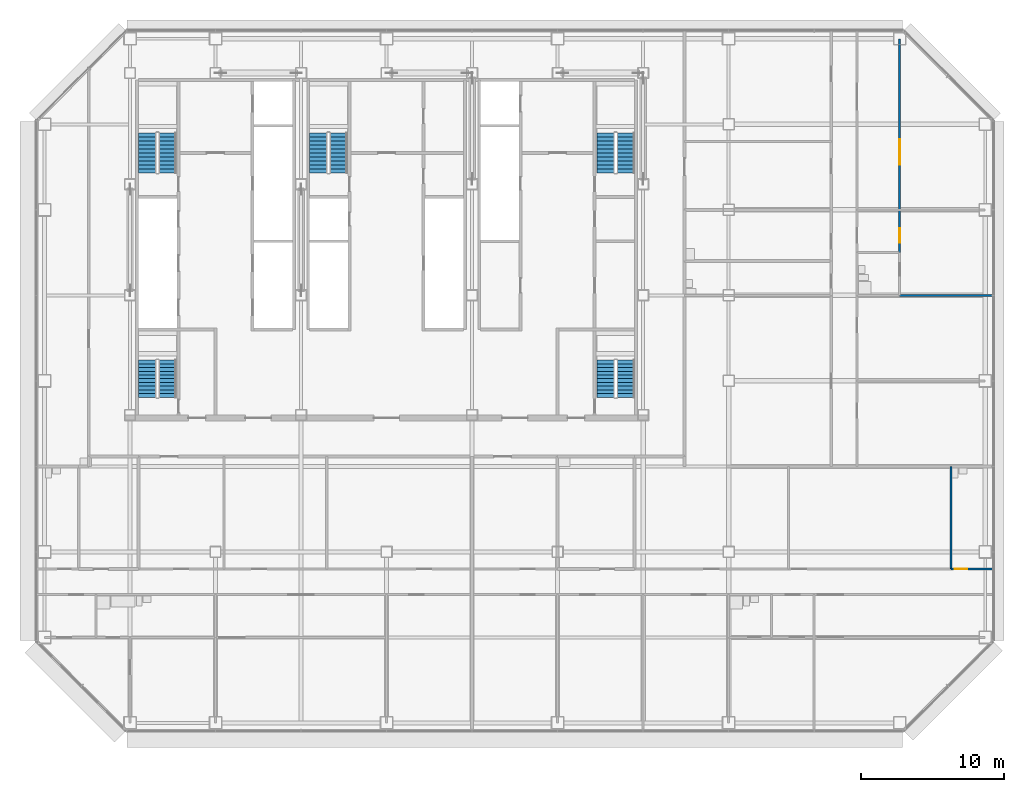
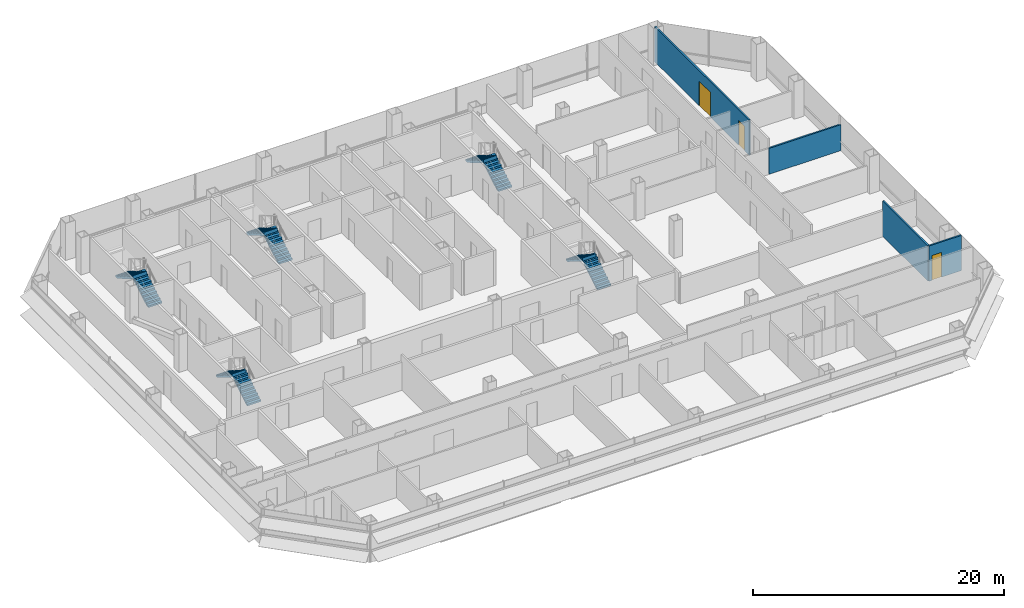
# One storey, part 24 of 27: 10 stair flights, 4 walls, 3 doors, 3 openings, 5 elements without a shape of their own.
"""IFC4 building model written with IfcOpenShell, lengths in metres."""

from ifc_helpers import new_model, si_unit, direction, frame, frame_2d, origin, place, context, subcontext, project, spatial, polyline, rectangle, outline, extrude, material, layer, layer_set, type_object, element, fill, aggregate, save


model = new_model("IFC4")

# Units and contexts
model_context = context("Model", 3, precision=1e-05, world=origin(), true_north=direction((0.0, 1.0)))
body_context = subcontext(model_context, "Body", "Model", "MODEL_VIEW")
ifc_project = project(units=[si_unit("LENGTHUNIT", "METRE"), si_unit("AREAUNIT", "SQUARE_METRE"), si_unit("VOLUMEUNIT", "CUBIC_METRE"), si_unit("PLANEANGLEUNIT", "RADIAN"), si_unit("MASSUNIT", "GRAM", prefix="KILO")], contexts=[model_context])

# Site, building, storey
site_placement = place(None, origin())
site = spatial("IfcSite", under=ifc_project, at=site_placement, CompositionType="ELEMENT")
building_placement = place(site_placement, origin())
building = spatial("IfcBuilding", under=site, at=building_placement, Name="Sorahane Residences", CompositionType="ELEMENT")
storey_placement = place(building_placement, frame((0.0, 0.0, 75.0)))
storey = spatial("IfcBuildingStorey", under=building, at=storey_placement, Name="L15", CompositionType="ELEMENT", Elevation=75.0)

# Wall, openings, doors
ifc_material_1 = material(Name="Gypsum board partition on steel studs", Category="steel")
ifc_layer_1 = layer(ifc_material_1, 0.14990234375)
ifc_layer_set_1 = layer_set([ifc_layer_1], Name="Partition 150 EI 90")
wall_type_1 = type_object("IfcWallType", Name="Partition 150 EI 90", PredefinedType="PARTITIONING", material=ifc_layer_set_1)
wall_1_placement = place(storey_placement, frame((60.0, 33.0, 0.0), z_axis=(0.0, 0.0, 1.0), x_axis=(0.0, 1.0, 0.0)))
wall_1 = element("IfcWall", 1, at=wall_1_placement, inside=storey, type_object=wall_type_1, Name="L15 partition", PredefinedType="PARTITIONING", context=body_context, shape_type="SweptSolid", body=[
    extrude(rectangle(XDim=15.0, YDim=0.14990234375, at=frame_2d((7.5, 0.0))), origin(), (0.0, 0.0, 1.0), 3.419921875),
])
opening_1_placement = place(wall_1_placement, frame((0.699951171875, 0.0, 0.0)))
opening_1 = element("IfcOpeningElement", 2, at=opening_1_placement, cuts=wall_1, Name="Opening L15-35", PredefinedType="OPENING", context=body_context, shape_type="SweptSolid", body=[
    extrude(rectangle(XDim=1.0, YDim=2.39990234375, at=frame_2d((0.5, 1.199951171875))), frame((0.0, 0.0849609375, 0.0), z_axis=(0.0, -1.0, 0.0), x_axis=(1.0, 0.0, 0.0)), (0.0, 0.0, 1.0), 0.169921875),
])
opening_2_placement = place(wall_1_placement, frame((6.159912109375, 0.0, 0.0)))
opening_2 = element("IfcOpeningElement", 3, at=opening_2_placement, cuts=wall_1, Name="Opening L15-37", PredefinedType="OPENING", context=body_context, shape_type="SweptSolid", body=[
    extrude(rectangle(XDim=1.800048828125, YDim=2.39990234375, at=frame_2d((0.89990234375, 1.199951171875))), frame((0.0, 0.0849609375, 0.0), z_axis=(0.0, -1.0, 0.0), x_axis=(1.0, 0.0, 0.0)), (0.0, 0.0, 1.0), 0.169921875),
])
ifc_material_2 = material(Name="Timber veneered fire door", Category="wood")
door_type_1 = type_object("IfcDoorType", Name="Double door 1800x2400 FD30", OperationType="NOTDEFINED", PredefinedType="DOOR", material=ifc_material_2)
door_1_placement = place(opening_2_placement, frame((1.800048828125, 0.0, 0.0), z_axis=(0.0, 0.0, 1.0), x_axis=(-1.0, 0.0, 0.0)))
door_1 = element("IfcDoor", 4, at=door_1_placement, inside=storey, type_object=door_type_1, Name="Double door L15-37", OperationType="SINGLE_SWING_RIGHT", OverallHeight=2.39990234375, OverallWidth=1.800048828125, PredefinedType="DOOR", context=body_context, shape_type="SweptSolid", body=[
    extrude(rectangle(XDim=1.800048828125, YDim=2.39990234375, at=frame_2d((0.89990234375, 1.199951171875))), frame((0.0, 0.02490234375, 0.0), z_axis=(0.0, -1.0, 0.0), x_axis=(1.0, 0.0, 0.0)), (0.0, 0.0, 1.0), 0.050048828125),
])
fill(opening_2, door_1)
ifc_material_3 = material(Name="Timber veneered fire door", Category="wood")
door_type_2 = type_object("IfcDoorType", Name="Room door 1000x2400 FD30", OperationType="NOTDEFINED", PredefinedType="DOOR", material=ifc_material_3)
door_2_placement = place(opening_1_placement, frame((1.0, 0.0, 0.0), z_axis=(0.0, 0.0, 1.0), x_axis=(-1.0, 0.0, 0.0)))
door_2 = element("IfcDoor", 5, at=door_2_placement, inside=storey, type_object=door_type_2, Name="Room door L15-35", OperationType="SINGLE_SWING_LEFT", OverallHeight=2.39990234375, OverallWidth=1.0, PredefinedType="DOOR", context=body_context, shape_type="SweptSolid", body=[
    extrude(rectangle(XDim=1.0, YDim=2.39990234375, at=frame_2d((0.5, 1.199951171875))), frame((0.0, 0.02490234375, 0.0), z_axis=(0.0, -1.0, 0.0), x_axis=(1.0, 0.0, 0.0)), (0.0, 0.0, 1.0), 0.050048828125),
])
fill(opening_1, door_2)

# Walls
wall_2_placement = place(storey_placement, frame((60.0, 30.0, 0.0), z_axis=(0.0, 0.0, 1.0), x_axis=(1.0, 0.0, 0.0)))
element("IfcWall", 6, at=wall_2_placement, inside=storey, type_object=wall_type_1, Name="L15 partition", PredefinedType="PARTITIONING", context=body_context, shape_type="SweptSolid", body=[
    extrude(rectangle(XDim=6.60009765625, YDim=0.14990234375, at=frame_2d((3.300048828125, 0.0))), origin(), (0.0, 0.0, 1.0), 2.52001953125),
])
ifc_material_4 = material(Name="Gypsum board partition on steel studs", Category="steel")
ifc_layer_2 = layer(ifc_material_4, 0.14990234375)
ifc_layer_set_2 = layer_set([ifc_layer_2], Name="Wet wall 150 EI 90")
wall_type_2 = type_object("IfcWallType", Name="Wet wall 150 EI 90", PredefinedType="PARTITIONING", material=ifc_layer_set_2)
wall_3_placement = place(storey_placement, frame((63.60009765625, 10.800048828125, 0.0), z_axis=(0.0, 0.0, 1.0), x_axis=(0.0, 1.0, 0.0)))
element("IfcWall", 7, at=wall_3_placement, inside=storey, type_object=wall_type_2, Name="L15 wet wall", PredefinedType="PARTITIONING", context=body_context, shape_type="SweptSolid", body=[
    extrude(rectangle(XDim=7.199951171875, YDim=0.14990234375, at=frame_2d((3.60009765625, 0.0))), origin(), (0.0, 0.0, 1.0), 3.419921875),
])

# Wall, opening, door
wall_4_placement = place(storey_placement, frame((63.60009765625, 10.800048828125, 0.0), z_axis=(0.0, 0.0, 1.0), x_axis=(1.0, 0.0, 0.0)))
wall_4 = element("IfcWall", 8, at=wall_4_placement, inside=storey, type_object=wall_type_2, Name="L15 wet wall", PredefinedType="PARTITIONING", context=body_context, shape_type="SweptSolid", body=[
    extrude(rectangle(XDim=3.0, YDim=0.14990234375, at=frame_2d((1.5, 0.0))), origin(), (0.0, 0.0, 1.0), 3.419921875),
])
opening_3_placement = place(wall_4_placement, frame((0.25, 0.0, 0.0)))
opening_3 = element("IfcOpeningElement", 9, at=opening_3_placement, cuts=wall_4, Name="Opening L15-17", PredefinedType="OPENING", context=body_context, shape_type="SweptSolid", body=[
    extrude(rectangle(XDim=0.89990234375, YDim=2.39990234375, at=frame_2d((0.449951171875, 1.199951171875))), frame((0.0, 0.0849609375, 0.0), z_axis=(0.0, -1.0, 0.0), x_axis=(1.0, 0.0, 0.0)), (0.0, 0.0, 1.0), 0.169921875),
])
ifc_material_5 = material(Name="Timber veneered fire door", Category="wood")
door_type_3 = type_object("IfcDoorType", Name="Bathroom door 900x2400 FD30", OperationType="NOTDEFINED", PredefinedType="DOOR", material=ifc_material_5)
door_3_placement = place(opening_3_placement, frame((0.89990234375, 0.0, 0.0), z_axis=(0.0, 0.0, 1.0), x_axis=(-1.0, 0.0, 0.0)))
door_3 = element("IfcDoor", 10, at=door_3_placement, inside=storey, type_object=door_type_3, Name="Bathroom door L15-17", OperationType="SINGLE_SWING_LEFT", OverallHeight=2.39990234375, OverallWidth=0.89990234375, PredefinedType="DOOR", context=body_context, shape_type="SweptSolid", body=[
    extrude(rectangle(XDim=0.89990234375, YDim=2.39990234375, at=frame_2d((0.449951171875, 1.199951171875))), frame((0.0, 0.02490234375, 0.0), z_axis=(0.0, -1.0, 0.0), x_axis=(1.0, 0.0, 0.0)), (0.0, 0.0, 1.0), 0.050048828125),
])
fill(opening_3, door_3)

# Stair, stair flights
ifc_material_6 = material(Name="Concrete C40", Category="concrete")
stair_type = type_object("IfcStairType", Name="Dog-leg stair 1250 Concrete C40", PredefinedType="HALF_TURN_STAIR", material=ifc_material_6)
stair_1_placement = place(storey_placement, origin())
stair_1 = element("IfcStair", 11, at=stair_1_placement, inside=storey, type_object=stair_type, Name="L15 Stair S1", PredefinedType="HALF_TURN_STAIR")
ifc_material_7 = material(Name="Concrete C40", Category="concrete")
stair_flight_type = type_object("IfcStairFlightType", Name="Stair flight 1250 Concrete C40", PredefinedType="STRAIGHT", material=ifc_material_7)
stair_flight_1_placement = place(storey_placement, frame((8.625, 38.60009765625, 0.0), z_axis=(0.0, 0.0, 1.0), x_axis=(0.0, 1.0, 0.0)))
stair_flight_1 = element("IfcStairFlight", 12, at=stair_flight_1_placement, type_object=stair_flight_type, Name="S1 flight 1", NumberOfRisers=11, NumberOfTreads=10, PredefinedType="STRAIGHT", RiserHeight=0.163636364, TreadLength=0.28, context=body_context, shape_type="SweptSolid", body=[
    extrude(outline(polyline([(-0.00146484375, 0.0), (-0.00146484375, 0.16357421875), (0.0, 0.16357421875), (0.280029296875, 0.16357421875), (0.280029296875, 0.327392578125), (0.56005859375, 0.327392578125), (0.56005859375, 0.490966796875), (0.840087890625, 0.490966796875), (0.840087890625, 0.654541015625), (1.1201171875, 0.654541015625), (1.1201171875, 0.818115234375), (1.39990234375, 0.818115234375), (1.39990234375, 0.98193359375), (1.679931640625, 0.98193359375), (1.679931640625, 1.1455078125), (1.9599609375, 1.1455078125), (1.9599609375, 1.30908203125), (2.239990234375, 1.30908203125), (2.239990234375, 1.47265625), (2.52001953125, 1.47265625), (2.52001953125, 1.636474609375), (2.800048828125, 1.636474609375), (2.800048828125, 1.800048828125), (2.800048828125, 1.462646484375), (2.59130859375, 1.3408203125), (2.3828125, 1.218994140625), (2.17431640625, 1.09716796875), (1.965576171875, 0.97509765625), (1.757080078125, 0.853271484375), (1.548583984375, 0.7314453125), (1.340087890625, 0.609375), (1.13134765625, 0.487548828125), (0.9228515625, 0.36572265625), (0.71435546875, 0.243896484375), (0.505615234375, 0.121826171875), (0.297119140625, 0.0), (-0.00146484375, 0.0)])), frame((0.0, 0.625, 0.0), z_axis=(0.0, -1.0, 0.0), x_axis=(1.0, 0.0, 0.0)), (0.0, 0.0, 1.0), 1.25),
])
stair_flight_2_placement = place(storey_placement, frame((7.22509765625, 41.39990234375, 1.800048828125), z_axis=(0.0, 0.0, 1.0), x_axis=(0.0, -1.0, 0.0)))
stair_flight_2 = element("IfcStairFlight", 13, at=stair_flight_2_placement, type_object=stair_flight_type, Name="S1 flight 2", NumberOfRisers=11, NumberOfTreads=10, PredefinedType="STRAIGHT", RiserHeight=0.163636364, TreadLength=0.28, context=body_context, shape_type="SweptSolid", body=[
    extrude(outline(polyline([(0.0, 0.0), (0.0, 0.16357421875), (0.280029296875, 0.16357421875), (0.280029296875, 0.327392578125), (0.56005859375, 0.327392578125), (0.56005859375, 0.490966796875), (0.840087890625, 0.490966796875), (0.840087890625, 0.654541015625), (1.1201171875, 0.654541015625), (1.1201171875, 0.818115234375), (1.39990234375, 0.818115234375), (1.39990234375, 0.98193359375), (1.679931640625, 0.98193359375), (1.679931640625, 1.1455078125), (1.9599609375, 1.1455078125), (1.9599609375, 1.30908203125), (2.239990234375, 1.30908203125), (2.239990234375, 1.47265625), (2.52001953125, 1.47265625), (2.52001953125, 1.636474609375), (2.800048828125, 1.636474609375), (2.800048828125, 1.800048828125), (2.801513671875, 1.800048828125), (2.801513671875, 1.462646484375), (2.5927734375, 1.3408203125), (2.384033203125, 1.218994140625), (2.17529296875, 1.09716796875), (1.966796875, 0.97509765625), (1.758056640625, 0.853271484375), (1.54931640625, 0.7314453125), (1.340576171875, 0.609375), (1.1318359375, 0.487548828125), (0.923095703125, 0.36572265625), (0.714599609375, 0.243896484375), (0.505859375, 0.121826171875), (0.297119140625, 0.0), (0.0, 0.0)])), frame((0.0, 0.625, 0.0), z_axis=(0.0, -1.0, 0.0), x_axis=(1.0, 0.0, 0.0)), (0.0, 0.0, 1.0), 1.25),
])
aggregate(stair_1, [stair_flight_1, stair_flight_2])

stair_2_placement = place(storey_placement, origin())
stair_2 = element("IfcStair", 14, at=stair_2_placement, inside=storey, type_object=stair_type, Name="L15 Stair S2", PredefinedType="HALF_TURN_STAIR")
stair_flight_3_placement = place(storey_placement, frame((40.77490234375, 38.60009765625, 0.0), z_axis=(0.0, 0.0, 1.0), x_axis=(0.0, 1.0, 0.0)))
stair_flight_3 = element("IfcStairFlight", 15, at=stair_flight_3_placement, type_object=stair_flight_type, Name="S2 flight 1", NumberOfRisers=11, NumberOfTreads=10, PredefinedType="STRAIGHT", RiserHeight=0.163636364, TreadLength=0.28, context=body_context, shape_type="SweptSolid", body=[
    extrude(outline(polyline([(-0.00146484375, 0.0), (-0.00146484375, 0.16357421875), (0.0, 0.16357421875), (0.280029296875, 0.16357421875), (0.280029296875, 0.327392578125), (0.56005859375, 0.327392578125), (0.56005859375, 0.490966796875), (0.840087890625, 0.490966796875), (0.840087890625, 0.654541015625), (1.1201171875, 0.654541015625), (1.1201171875, 0.818115234375), (1.39990234375, 0.818115234375), (1.39990234375, 0.98193359375), (1.679931640625, 0.98193359375), (1.679931640625, 1.1455078125), (1.9599609375, 1.1455078125), (1.9599609375, 1.30908203125), (2.239990234375, 1.30908203125), (2.239990234375, 1.47265625), (2.52001953125, 1.47265625), (2.52001953125, 1.636474609375), (2.800048828125, 1.636474609375), (2.800048828125, 1.800048828125), (2.800048828125, 1.462646484375), (2.59130859375, 1.3408203125), (2.3828125, 1.218994140625), (2.17431640625, 1.09716796875), (1.965576171875, 0.97509765625), (1.757080078125, 0.853271484375), (1.548583984375, 0.7314453125), (1.340087890625, 0.609375), (1.13134765625, 0.487548828125), (0.9228515625, 0.36572265625), (0.71435546875, 0.243896484375), (0.505615234375, 0.121826171875), (0.297119140625, 0.0), (-0.00146484375, 0.0)])), frame((0.0, 0.625, 0.0), z_axis=(0.0, -1.0, 0.0), x_axis=(1.0, 0.0, 0.0)), (0.0, 0.0, 1.0), 1.25),
])
stair_flight_4_placement = place(storey_placement, frame((39.375, 41.39990234375, 1.800048828125), z_axis=(0.0, 0.0, 1.0), x_axis=(0.0, -1.0, 0.0)))
stair_flight_4 = element("IfcStairFlight", 16, at=stair_flight_4_placement, type_object=stair_flight_type, Name="S2 flight 2", NumberOfRisers=11, NumberOfTreads=10, PredefinedType="STRAIGHT", RiserHeight=0.163636364, TreadLength=0.28, context=body_context, shape_type="SweptSolid", body=[
    extrude(outline(polyline([(0.0, 0.0), (0.0, 0.16357421875), (0.280029296875, 0.16357421875), (0.280029296875, 0.327392578125), (0.56005859375, 0.327392578125), (0.56005859375, 0.490966796875), (0.840087890625, 0.490966796875), (0.840087890625, 0.654541015625), (1.1201171875, 0.654541015625), (1.1201171875, 0.818115234375), (1.39990234375, 0.818115234375), (1.39990234375, 0.98193359375), (1.679931640625, 0.98193359375), (1.679931640625, 1.1455078125), (1.9599609375, 1.1455078125), (1.9599609375, 1.30908203125), (2.239990234375, 1.30908203125), (2.239990234375, 1.47265625), (2.52001953125, 1.47265625), (2.52001953125, 1.636474609375), (2.800048828125, 1.636474609375), (2.800048828125, 1.800048828125), (2.801513671875, 1.800048828125), (2.801513671875, 1.462646484375), (2.5927734375, 1.3408203125), (2.384033203125, 1.218994140625), (2.17529296875, 1.09716796875), (1.966796875, 0.97509765625), (1.758056640625, 0.853271484375), (1.54931640625, 0.7314453125), (1.340576171875, 0.609375), (1.1318359375, 0.487548828125), (0.923095703125, 0.36572265625), (0.714599609375, 0.243896484375), (0.505859375, 0.121826171875), (0.297119140625, 0.0), (0.0, 0.0)])), frame((0.0, 0.625, 0.0), z_axis=(0.0, -1.0, 0.0), x_axis=(1.0, 0.0, 0.0)), (0.0, 0.0, 1.0), 1.25),
])
aggregate(stair_2, [stair_flight_3, stair_flight_4])

stair_3_placement = place(storey_placement, origin())
stair_3 = element("IfcStair", 17, at=stair_3_placement, inside=storey, type_object=stair_type, Name="L15 Stair S3", PredefinedType="HALF_TURN_STAIR")
stair_flight_5_placement = place(storey_placement, frame((20.625, 38.60009765625, 0.0), z_axis=(0.0, 0.0, 1.0), x_axis=(0.0, 1.0, 0.0)))
stair_flight_5 = element("IfcStairFlight", 18, at=stair_flight_5_placement, type_object=stair_flight_type, Name="S3 flight 1", NumberOfRisers=11, NumberOfTreads=10, PredefinedType="STRAIGHT", RiserHeight=0.163636364, TreadLength=0.28, context=body_context, shape_type="SweptSolid", body=[
    extrude(outline(polyline([(-0.00146484375, 0.0), (-0.00146484375, 0.16357421875), (0.0, 0.16357421875), (0.280029296875, 0.16357421875), (0.280029296875, 0.327392578125), (0.56005859375, 0.327392578125), (0.56005859375, 0.490966796875), (0.840087890625, 0.490966796875), (0.840087890625, 0.654541015625), (1.1201171875, 0.654541015625), (1.1201171875, 0.818115234375), (1.39990234375, 0.818115234375), (1.39990234375, 0.98193359375), (1.679931640625, 0.98193359375), (1.679931640625, 1.1455078125), (1.9599609375, 1.1455078125), (1.9599609375, 1.30908203125), (2.239990234375, 1.30908203125), (2.239990234375, 1.47265625), (2.52001953125, 1.47265625), (2.52001953125, 1.636474609375), (2.800048828125, 1.636474609375), (2.800048828125, 1.800048828125), (2.800048828125, 1.462646484375), (2.59130859375, 1.3408203125), (2.3828125, 1.218994140625), (2.17431640625, 1.09716796875), (1.965576171875, 0.97509765625), (1.757080078125, 0.853271484375), (1.548583984375, 0.7314453125), (1.340087890625, 0.609375), (1.13134765625, 0.487548828125), (0.9228515625, 0.36572265625), (0.71435546875, 0.243896484375), (0.505615234375, 0.121826171875), (0.297119140625, 0.0), (-0.00146484375, 0.0)])), frame((0.0, 0.625, 0.0), z_axis=(0.0, -1.0, 0.0), x_axis=(1.0, 0.0, 0.0)), (0.0, 0.0, 1.0), 1.25),
])
stair_flight_6_placement = place(storey_placement, frame((19.22509765625, 41.39990234375, 1.800048828125), z_axis=(0.0, 0.0, 1.0), x_axis=(0.0, -1.0, 0.0)))
stair_flight_6 = element("IfcStairFlight", 19, at=stair_flight_6_placement, type_object=stair_flight_type, Name="S3 flight 2", NumberOfRisers=11, NumberOfTreads=10, PredefinedType="STRAIGHT", RiserHeight=0.163636364, TreadLength=0.28, context=body_context, shape_type="SweptSolid", body=[
    extrude(outline(polyline([(0.0, 0.0), (0.0, 0.16357421875), (0.280029296875, 0.16357421875), (0.280029296875, 0.327392578125), (0.56005859375, 0.327392578125), (0.56005859375, 0.490966796875), (0.840087890625, 0.490966796875), (0.840087890625, 0.654541015625), (1.1201171875, 0.654541015625), (1.1201171875, 0.818115234375), (1.39990234375, 0.818115234375), (1.39990234375, 0.98193359375), (1.679931640625, 0.98193359375), (1.679931640625, 1.1455078125), (1.9599609375, 1.1455078125), (1.9599609375, 1.30908203125), (2.239990234375, 1.30908203125), (2.239990234375, 1.47265625), (2.52001953125, 1.47265625), (2.52001953125, 1.636474609375), (2.800048828125, 1.636474609375), (2.800048828125, 1.800048828125), (2.801513671875, 1.800048828125), (2.801513671875, 1.462646484375), (2.5927734375, 1.3408203125), (2.384033203125, 1.218994140625), (2.17529296875, 1.09716796875), (1.966796875, 0.97509765625), (1.758056640625, 0.853271484375), (1.54931640625, 0.7314453125), (1.340576171875, 0.609375), (1.1318359375, 0.487548828125), (0.923095703125, 0.36572265625), (0.714599609375, 0.243896484375), (0.505859375, 0.121826171875), (0.297119140625, 0.0), (0.0, 0.0)])), frame((0.0, 0.625, 0.0), z_axis=(0.0, -1.0, 0.0), x_axis=(1.0, 0.0, 0.0)), (0.0, 0.0, 1.0), 1.25),
])
aggregate(stair_3, [stair_flight_5, stair_flight_6])

stair_4_placement = place(storey_placement, origin())
stair_4 = element("IfcStair", 20, at=stair_4_placement, inside=storey, type_object=stair_type, Name="L15 Stair S4", PredefinedType="HALF_TURN_STAIR")
stair_flight_7_placement = place(storey_placement, frame((8.625, 22.85009765625, 0.0), z_axis=(0.0, 0.0, 1.0), x_axis=(0.0, 1.0, 0.0)))
stair_flight_7 = element("IfcStairFlight", 21, at=stair_flight_7_placement, type_object=stair_flight_type, Name="S4 flight 1", NumberOfRisers=11, NumberOfTreads=10, PredefinedType="STRAIGHT", RiserHeight=0.163636364, TreadLength=0.26, context=body_context, shape_type="SweptSolid", body=[
    extrude(outline(polyline([(-0.00146484375, 0.0), (-0.00146484375, 0.16357421875), (0.0, 0.16357421875), (0.260009765625, 0.16357421875), (0.260009765625, 0.327392578125), (0.52001953125, 0.327392578125), (0.52001953125, 0.490966796875), (0.780029296875, 0.490966796875), (0.780029296875, 0.654541015625), (1.0400390625, 0.654541015625), (1.0400390625, 0.818115234375), (1.300048828125, 0.818115234375), (1.300048828125, 0.98193359375), (1.56005859375, 0.98193359375), (1.56005859375, 1.1455078125), (1.820068359375, 1.1455078125), (1.820068359375, 1.30908203125), (2.080078125, 1.30908203125), (2.080078125, 1.47265625), (2.340087890625, 1.47265625), (2.340087890625, 1.636474609375), (2.60009765625, 1.636474609375), (2.60009765625, 1.800048828125), (2.60009765625, 1.494384765625), (2.402099609375, 1.369873046875), (2.204345703125, 1.245361328125), (2.00634765625, 1.120849609375), (1.80859375, 0.996337890625), (1.610595703125, 0.871826171875), (1.412841796875, 0.747314453125), (1.21484375, 0.622802734375), (1.01708984375, 0.498046875), (0.819091796875, 0.37353515625), (0.621337890625, 0.2490234375), (0.42333984375, 0.12451171875), (0.2255859375, 0.0), (-0.00146484375, 0.0)])), frame((0.0, 0.625, 0.0), z_axis=(0.0, -1.0, 0.0), x_axis=(1.0, 0.0, 0.0)), (0.0, 0.0, 1.0), 1.25),
])
stair_flight_8_placement = place(storey_placement, frame((7.22509765625, 25.449951171875, 1.800048828125), z_axis=(0.0, 0.0, 1.0), x_axis=(0.0, -1.0, 0.0)))
stair_flight_8 = element("IfcStairFlight", 22, at=stair_flight_8_placement, type_object=stair_flight_type, Name="S4 flight 2", NumberOfRisers=11, NumberOfTreads=10, PredefinedType="STRAIGHT", RiserHeight=0.163636364, TreadLength=0.26, context=body_context, shape_type="SweptSolid", body=[
    extrude(outline(polyline([(0.0, 0.0), (0.0, 0.16357421875), (0.260009765625, 0.16357421875), (0.260009765625, 0.327392578125), (0.52001953125, 0.327392578125), (0.52001953125, 0.490966796875), (0.780029296875, 0.490966796875), (0.780029296875, 0.654541015625), (1.0400390625, 0.654541015625), (1.0400390625, 0.818115234375), (1.300048828125, 0.818115234375), (1.300048828125, 0.98193359375), (1.56005859375, 0.98193359375), (1.56005859375, 1.1455078125), (1.820068359375, 1.1455078125), (1.820068359375, 1.30908203125), (2.080078125, 1.30908203125), (2.080078125, 1.47265625), (2.340087890625, 1.47265625), (2.340087890625, 1.636474609375), (2.60009765625, 1.636474609375), (2.60009765625, 1.800048828125), (2.6015625, 1.800048828125), (2.6015625, 1.494384765625), (2.403564453125, 1.369873046875), (2.20556640625, 1.245361328125), (2.007568359375, 1.120849609375), (1.8095703125, 0.996337890625), (1.611572265625, 0.871826171875), (1.41357421875, 0.747314453125), (1.215576171875, 0.622802734375), (1.017578125, 0.498046875), (0.819580078125, 0.37353515625), (0.62158203125, 0.2490234375), (0.423583984375, 0.12451171875), (0.2255859375, 0.0), (0.0, 0.0)])), frame((0.0, 0.625, 0.0), z_axis=(0.0, -1.0, 0.0), x_axis=(1.0, 0.0, 0.0)), (0.0, 0.0, 1.0), 1.25),
])
aggregate(stair_4, [stair_flight_7, stair_flight_8])

stair_5_placement = place(storey_placement, origin())
stair_5 = element("IfcStair", 23, at=stair_5_placement, inside=storey, type_object=stair_type, Name="L15 Stair S5", PredefinedType="HALF_TURN_STAIR")
stair_flight_9_placement = place(storey_placement, frame((40.77490234375, 22.85009765625, 0.0), z_axis=(0.0, 0.0, 1.0), x_axis=(0.0, 1.0, 0.0)))
stair_flight_9 = element("IfcStairFlight", 24, at=stair_flight_9_placement, type_object=stair_flight_type, Name="S5 flight 1", NumberOfRisers=11, NumberOfTreads=10, PredefinedType="STRAIGHT", RiserHeight=0.163636364, TreadLength=0.26, context=body_context, shape_type="SweptSolid", body=[
    extrude(outline(polyline([(-0.00146484375, 0.0), (-0.00146484375, 0.16357421875), (0.0, 0.16357421875), (0.260009765625, 0.16357421875), (0.260009765625, 0.327392578125), (0.52001953125, 0.327392578125), (0.52001953125, 0.490966796875), (0.780029296875, 0.490966796875), (0.780029296875, 0.654541015625), (1.0400390625, 0.654541015625), (1.0400390625, 0.818115234375), (1.300048828125, 0.818115234375), (1.300048828125, 0.98193359375), (1.56005859375, 0.98193359375), (1.56005859375, 1.1455078125), (1.820068359375, 1.1455078125), (1.820068359375, 1.30908203125), (2.080078125, 1.30908203125), (2.080078125, 1.47265625), (2.340087890625, 1.47265625), (2.340087890625, 1.636474609375), (2.60009765625, 1.636474609375), (2.60009765625, 1.800048828125), (2.60009765625, 1.494384765625), (2.402099609375, 1.369873046875), (2.204345703125, 1.245361328125), (2.00634765625, 1.120849609375), (1.80859375, 0.996337890625), (1.610595703125, 0.871826171875), (1.412841796875, 0.747314453125), (1.21484375, 0.622802734375), (1.01708984375, 0.498046875), (0.819091796875, 0.37353515625), (0.621337890625, 0.2490234375), (0.42333984375, 0.12451171875), (0.2255859375, 0.0), (-0.00146484375, 0.0)])), frame((0.0, 0.625, 0.0), z_axis=(0.0, -1.0, 0.0), x_axis=(1.0, 0.0, 0.0)), (0.0, 0.0, 1.0), 1.25),
])
stair_flight_10_placement = place(storey_placement, frame((39.375, 25.449951171875, 1.800048828125), z_axis=(0.0, 0.0, 1.0), x_axis=(0.0, -1.0, 0.0)))
stair_flight_10 = element("IfcStairFlight", 25, at=stair_flight_10_placement, type_object=stair_flight_type, Name="S5 flight 2", NumberOfRisers=11, NumberOfTreads=10, PredefinedType="STRAIGHT", RiserHeight=0.163636364, TreadLength=0.26, context=body_context, shape_type="SweptSolid", body=[
    extrude(outline(polyline([(0.0, 0.0), (0.0, 0.16357421875), (0.260009765625, 0.16357421875), (0.260009765625, 0.327392578125), (0.52001953125, 0.327392578125), (0.52001953125, 0.490966796875), (0.780029296875, 0.490966796875), (0.780029296875, 0.654541015625), (1.0400390625, 0.654541015625), (1.0400390625, 0.818115234375), (1.300048828125, 0.818115234375), (1.300048828125, 0.98193359375), (1.56005859375, 0.98193359375), (1.56005859375, 1.1455078125), (1.820068359375, 1.1455078125), (1.820068359375, 1.30908203125), (2.080078125, 1.30908203125), (2.080078125, 1.47265625), (2.340087890625, 1.47265625), (2.340087890625, 1.636474609375), (2.60009765625, 1.636474609375), (2.60009765625, 1.800048828125), (2.6015625, 1.800048828125), (2.6015625, 1.494384765625), (2.403564453125, 1.369873046875), (2.20556640625, 1.245361328125), (2.007568359375, 1.120849609375), (1.8095703125, 0.996337890625), (1.611572265625, 0.871826171875), (1.41357421875, 0.747314453125), (1.215576171875, 0.622802734375), (1.017578125, 0.498046875), (0.819580078125, 0.37353515625), (0.62158203125, 0.2490234375), (0.423583984375, 0.12451171875), (0.2255859375, 0.0), (0.0, 0.0)])), frame((0.0, 0.625, 0.0), z_axis=(0.0, -1.0, 0.0), x_axis=(1.0, 0.0, 0.0)), (0.0, 0.0, 1.0), 1.25),
])
aggregate(stair_5, [stair_flight_9, stair_flight_10])

save(model, "model.ifc")
